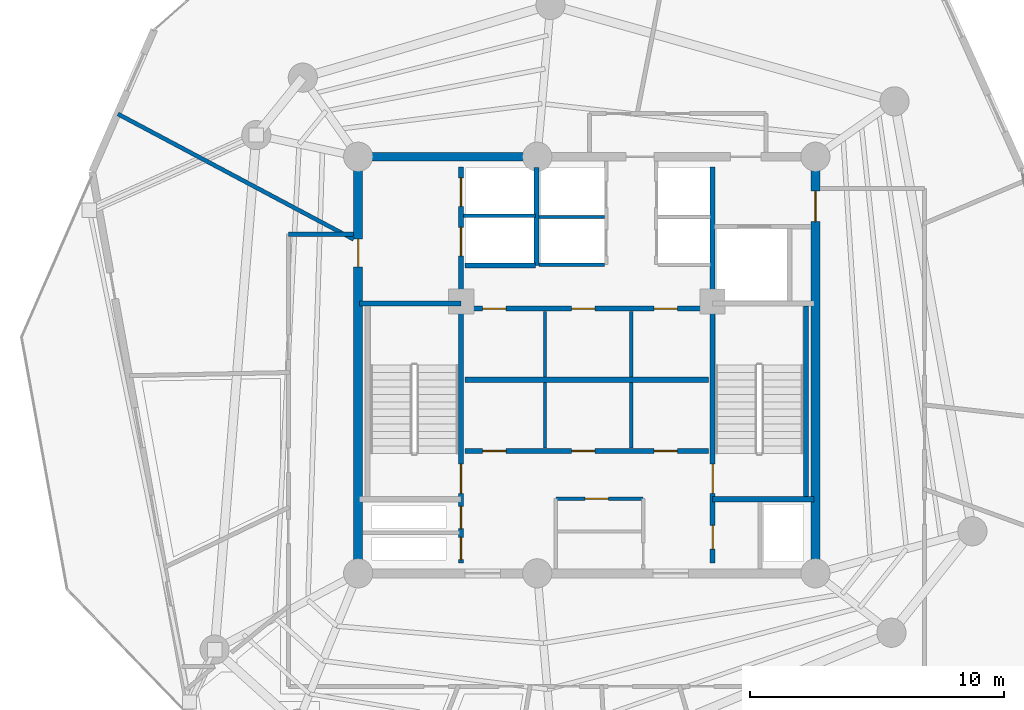
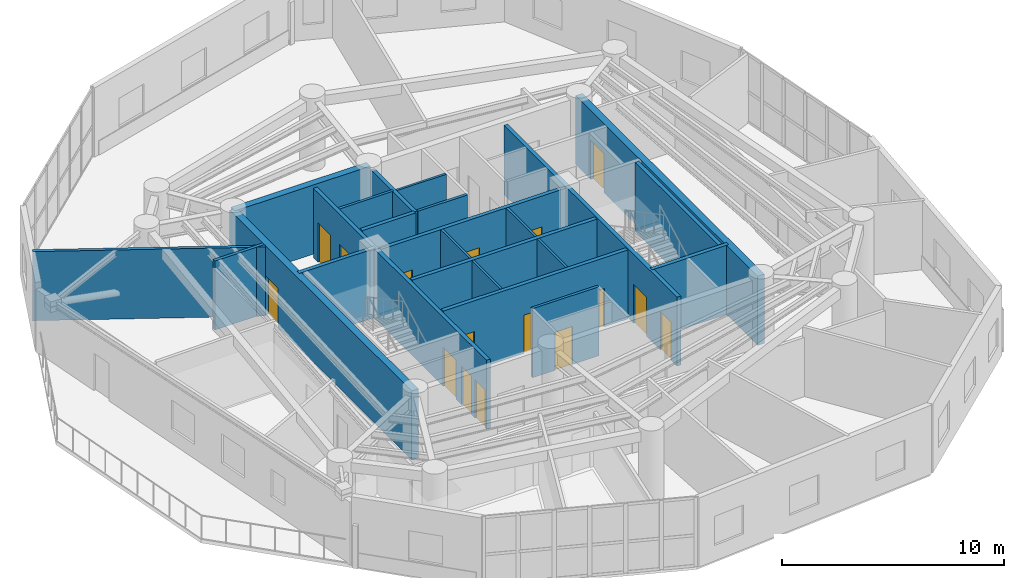
# One storey, part 7 of 12: 23 walls, 16 doors, 16 openings.
"""IFC4 building model written with IfcOpenShell, lengths in metres."""

from ifc_helpers import new_model, si_unit, direction, frame, frame_2d, origin, origin_with_axes, place, context, subcontext, project, spatial, rectangle, extrude, source, transform, mapped, material, layer, layer_set, type_object, element, fill, save


model = new_model("IFC4")

# Units and contexts
model_context = context("Model", 3, precision=1e-05, world=origin(), true_north=direction((0.0, 1.0)))
body_context = subcontext(model_context, "Body", "Model", "MODEL_VIEW")
ifc_project = project(units=[si_unit("LENGTHUNIT", "METRE"), si_unit("AREAUNIT", "SQUARE_METRE"), si_unit("VOLUMEUNIT", "CUBIC_METRE"), si_unit("PLANEANGLEUNIT", "RADIAN"), si_unit("MASSUNIT", "GRAM", prefix="KILO")], contexts=[model_context])

# Site, building, storey
site_placement = place(None, origin())
site = spatial("IfcSite", under=ifc_project, at=site_placement, CompositionType="ELEMENT")
building_placement = place(site_placement, origin())
building = spatial("IfcBuilding", under=site, at=building_placement, Name="Karkom Vertical University and Central Library", CompositionType="ELEMENT")
storey_placement = place(building_placement, frame((0.0, 0.0, 212.89990234375)))
storey = spatial("IfcBuildingStorey", under=building, at=storey_placement, Name="L62", CompositionType="ELEMENT", Elevation=212.89990234375)

# Walls
ifc_material_1 = material(Name="Insulated metal-stud drywall 160mm", Category="gypsum")
ifc_layer_1 = layer(ifc_material_1, 0.159912109375)
ifc_layer_set_1 = layer_set([ifc_layer_1], Name="Insulated metal-stud drywall 160mm")
wall_type_1 = type_object("IfcWallType", Name="INT-WL-COR-160", PredefinedType="PARTITIONING", material=ifc_layer_set_1)
wall_1_placement = place(storey_placement, frame((19.318603515625, 31.44970703125, 0.0), z_axis=(0.0, 0.0, 1.0), x_axis=(-0.882941459701, 0.469483097397, 0.0)))
element("IfcWall", 1, at=wall_1_placement, inside=storey, type_object=wall_type_1, Name="Level 62 Interior Partition Wall L62-PW-016", PredefinedType="PARTITIONING", context=body_context, shape_type="SweptSolid", body=[
    extrude(rectangle(XDim=10.506591796875, YDim=0.159912109375, at=frame_2d((5.25341796875, 0.0))), origin(), (0.0, 0.0, 1.0), 3.800048828125),
])
wall_2_placement = place(storey_placement, frame((16.75, 31.64990234375, 0.0), z_axis=(0.0, 0.0, 1.0), x_axis=(1.0, 0.0, 0.0)))
element("IfcWall", 2, at=wall_2_placement, inside=storey, type_object=wall_type_1, Name="Level 62 Interior Partition Wall L62-CORW-CW-003", PredefinedType="PARTITIONING", context=body_context, shape_type="SweptSolid", body=[
    extrude(rectangle(XDim=2.568115234375, YDim=0.159912109375, at=frame_2d((1.2841796875, 0.0))), origin(), (0.0, 0.0, 1.0), 3.800048828125),
])
ifc_material_2 = material(Name="Moisture-resistant drywall 120mm", Category="gypsum")
ifc_layer_2 = layer(ifc_material_2, 0.1201171875)
ifc_layer_set_2 = layer_set([ifc_layer_2], Name="Moisture-resistant drywall 120mm")
wall_type_2 = type_object("IfcWallType", Name="INT-WL-INT-120", PredefinedType="PARTITIONING", material=ifc_layer_set_2)
for number, where, z_axis, x_axis, name in (
    (3, (26.85009765625, 23.22705078125, 0.0), (0.0, 0.0, 1.0), (0.0, 1.0, 0.0), "Level 62 Interior Partition Wall L62-CW-B1-K4A"),
    (4, (30.25, 23.22705078125, 0.0), (0.0, 0.0, 1.0), (0.0, 1.0, 0.0), "Level 62 Interior Partition Wall L62-CW-B1-K4B"),
    (5, (26.85009765625, 26.027099609375, 0.0), (0.0, 0.0, 1.0), (0.0, 1.0, 0.0), "Level 62 Interior Partition Wall L62-CW-B2-K4A"),
    (6, (30.25, 26.027099609375, 0.0), (0.0, 0.0, 1.0), (0.0, 1.0, 0.0), "Level 62 Interior Partition Wall L62-CW-B2-K4B"),
):
    element("IfcWall", number, at=place(storey_placement, frame(where, z_axis=z_axis, x_axis=x_axis)), inside=storey, type_object=wall_type_2, Name=name, PredefinedType="PARTITIONING", context=body_context, shape_type="SweptSolid", body=[
        extrude(rectangle(XDim=2.586669921875, YDim=0.1201171875, at=frame_2d((1.29345703125, 0.0))), origin(), (0.0, 0.0, 1.0), 3.800048828125),
    ])
ifc_layer_3 = layer(ifc_material_2, 0.1201171875)
ifc_layer_set_3 = layer_set([ifc_layer_3], Name="Moisture-resistant drywall 120mm")
wall_type_3 = type_object("IfcWallType", Name="INT-WL-INT-120H", PredefinedType="PARTITIONING", material=ifc_layer_set_3)
wall_3_placement = place(storey_placement, frame((26.6201171875, 32.320068359375, 0.0), z_axis=(0.0, 0.0, 1.0), x_axis=(1.0, 0.0, 0.0)))
element("IfcWall", 7, at=wall_3_placement, inside=storey, type_object=wall_type_3, Name="Level 62 Interior Partition Wall L62-CW-PH-MW", PredefinedType="PARTITIONING", context=body_context, shape_type="SweptSolid", body=[
    extrude(rectangle(XDim=2.579833984375, YDim=0.1201171875, at=frame_2d((1.2900390625, 0.0))), origin(), (0.0, 0.0, 1.0), 3.800048828125),
])

# Wall, opening, door
ifc_material_3 = material(Name="Metal-stud gypsum partition 140mm", Category="gypsum")
ifc_layer_4 = layer(ifc_material_3, 0.139892578125)
ifc_layer_set_4 = layer_set([ifc_layer_4], Name="Metal-stud gypsum partition 140mm")
wall_type_4 = type_object("IfcWallType", Name="INT-WL-SUB-140", PredefinedType="PARTITIONING", material=ifc_layer_set_4)
wall_4_placement = place(storey_placement, frame((27.280029296875, 21.239990234375, 0.0), z_axis=(0.0, 0.0, 1.0), x_axis=(1.0, 0.0, 0.0)))
wall_4 = element("IfcWall", 8, at=wall_4_placement, inside=storey, type_object=wall_type_4, Name="Level 62 Interior Partition Wall L62-CW-KBAY-N", PredefinedType="PARTITIONING", context=body_context, shape_type="SweptSolid", body=[
    extrude(rectangle(XDim=3.43994140625, YDim=0.139892578125, at=frame_2d((1.719970703125, 0.0))), origin(), (0.0, 0.0, 1.0), 3.800048828125),
])
opening_1_placement = place(wall_4_placement, frame((1.14990234375, 0.0, 0.0)))
opening_1 = element("IfcOpeningElement", 9, at=opening_1_placement, cuts=wall_4, Name="Opening D-SVC1", PredefinedType="OPENING", context=body_context, shape_type="SweptSolid", body=[
    extrude(rectangle(XDim=0.919921875, YDim=2.10009765625, at=frame_2d((0.4599609375, 1.050048828125))), frame((0.0, 0.080078125, 0.0), z_axis=(0.0, -1.0, 0.0), x_axis=(1.0, 0.0, 0.0)), (0.0, 0.0, 1.0), 0.159912109375),
])
ifc_material_4 = material(Name="Painted timber service door", Category="wood")
door_type_1 = type_object("IfcDoorType", Name="INT-DR-SVC1", OperationType="NOTDEFINED", PredefinedType="DOOR", material=ifc_material_4)
shared_shape_1 = source(origin_with_axes(), body_context, "Body", "SweptSolid", [
    extrude(rectangle(XDim=0.919921875, YDim=2.10009765625, at=frame_2d((0.4599609375, 1.050048828125))), frame((0.0, 0.02490234375, 0.0), z_axis=(0.0, -1.0, 0.0), x_axis=(1.0, 0.0, 0.0)), (0.0, 0.0, 1.0), 0.050048828125),
])
door_1_placement = place(opening_1_placement, origin())
door_1 = element("IfcDoor", 10, at=door_1_placement, inside=storey, type_object=door_type_1, Name="Level 62 Valve Cupboard Door", OperationType="SINGLE_SWING_RIGHT", OverallHeight=2.10009765625, OverallWidth=0.919921875, PredefinedType="DOOR", context=body_context, shape_type="MappedRepresentation", body=[
    mapped(shared_shape_1, transform((0.0, 0.0, 0.0), scale=1.0)),
])
fill(opening_1, door_1)

# Walls
ifc_layer_5 = layer(ifc_material_3, 0.139892578125)
ifc_layer_set_5 = layer_set([ifc_layer_5], Name="Metal-stud gypsum partition 140mm")
wall_type_5 = type_object("IfcWallType", Name="INT-WL-SUB-140H", PredefinedType="PARTITIONING", material=ifc_layer_set_5)
wall_5_placement = place(storey_placement, frame((26.6201171875, 30.449951171875, 0.0), z_axis=(0.0, 0.0, 1.0), x_axis=(1.0, 0.0, 0.0)))
element("IfcWall", 11, at=wall_5_placement, inside=storey, type_object=wall_type_5, Name="Level 62 Interior Partition Wall L62-CW-PH-S1", PredefinedType="PARTITIONING", context=body_context, shape_type="SweptSolid", body=[
    extrude(rectangle(XDim=2.579833984375, YDim=0.139892578125, at=frame_2d((1.2900390625, 0.0))), origin(), (0.0, 0.0, 1.0), 3.800048828125),
])
ifc_layer_6 = layer(ifc_material_3, 0.139892578125)
ifc_layer_set_6 = layer_set([ifc_layer_6], Name="Metal-stud gypsum partition 140mm")
wall_type_6 = type_object("IfcWallType", Name="INT-WL-SUB-140X", PredefinedType="PARTITIONING", material=ifc_layer_set_6)
wall_6_placement = place(storey_placement, frame((23.652099609375, 32.3701171875, 0.0), z_axis=(0.0, 0.0, 1.0), x_axis=(1.0, 0.0, 0.0)))
element("IfcWall", 12, at=wall_6_placement, inside=storey, type_object=wall_type_6, Name="Level 62 Interior Partition Wall L62-CW-FFL-M", PredefinedType="PARTITIONING", context=body_context, shape_type="SweptSolid", body=[
    extrude(rectangle(XDim=2.827880859375, YDim=0.139892578125, at=frame_2d((1.4140625, 0.0))), origin(), (0.0, 0.0, 1.0), 3.800048828125),
])

# Wall, opening, door
ifc_material_5 = material(Name="Concrete C45/55", Category="concrete")
ifc_layer_7 = layer(ifc_material_5, 0.35009765625)
ifc_layer_set_7 = layer_set([ifc_layer_7], Name="Concrete C45/55")
wall_type_7 = type_object("IfcWallType", Name="STR-WL-CW-350", PredefinedType="SHEAR", material=ifc_layer_set_7)
wall_7_placement = place(storey_placement, frame((37.5, 18.300048828125, 0.0), z_axis=(0.0, 0.0, 1.0), x_axis=(0.0, 1.0, 0.0)))
wall_7 = element("IfcWall", 13, at=wall_7_placement, inside=storey, type_object=wall_type_7, Name="Level 62 Central Core Shear Wall EW", PredefinedType="SHEAR", context=body_context, shape_type="SweptSolid", body=[
    extrude(rectangle(XDim=16.39990234375, YDim=0.35009765625, at=frame_2d((8.199951171875, 0.0))), origin(), (0.0, 0.0, 1.0), 3.800048828125),
])
opening_2_placement = place(wall_7_placement, frame((13.85009765625, 0.0, 0.0)))
opening_2 = element("IfcOpeningElement", 14, at=opening_2_placement, cuts=wall_7, Name="Opening FD-SUB1", PredefinedType="OPENING", context=body_context, shape_type="SweptSolid", body=[
    extrude(rectangle(XDim=1.199951171875, YDim=2.14990234375, at=frame_2d((0.60009765625, 1.074951171875))), frame((0.0, 0.18505859375, 0.0), z_axis=(0.0, -1.0, 0.0), x_axis=(1.0, 0.0, 0.0)), (0.0, 0.0, 1.0), 0.3701171875),
])
ifc_material_6 = material(Name="Painted steel fire door", Category="steel")
door_type_2 = type_object("IfcDoorType", Name="INT-DR-SUB1", OperationType="NOTDEFINED", PredefinedType="DOOR", material=ifc_material_6)
shared_shape_2 = source(origin_with_axes(), body_context, "Body", "SweptSolid", [
    extrude(rectangle(XDim=1.199951171875, YDim=2.14990234375, at=frame_2d((0.60009765625, 1.074951171875))), frame((0.0, 0.02490234375, 0.0), z_axis=(0.0, -1.0, 0.0), x_axis=(1.0, 0.0, 0.0)), (0.0, 0.0, 1.0), 0.050048828125),
])
door_2_placement = place(opening_2_placement, origin())
door_2 = element("IfcDoor", 15, at=door_2_placement, inside=storey, type_object=door_type_2, Name="Level 62 East Corridor Service Lobby Door", OperationType="SINGLE_SWING_RIGHT", OverallHeight=2.14990234375, OverallWidth=1.199951171875, PredefinedType="DOOR", context=body_context, shape_type="MappedRepresentation", body=[
    mapped(shared_shape_2, transform((0.0, 0.0, 0.0), scale=1.0)),
])
fill(opening_2, door_2)

# Wall
wall_8_placement = place(storey_placement, frame((26.550048828125, 34.699951171875, 0.0), z_axis=(0.0, 0.0, 1.0), x_axis=(-1.0, 0.0, 0.0)))
element("IfcWall", 16, at=wall_8_placement, inside=storey, type_object=wall_type_7, Name="Level 62 Central Core Shear Wall NW2", PredefinedType="SHEAR", context=body_context, shape_type="SweptSolid", body=[
    extrude(rectangle(XDim=7.050048828125, YDim=0.35009765625, at=frame_2d((3.52490234375, 0.0))), origin(), (0.0, 0.0, 1.0), 3.800048828125),
])

# Wall, opening, door
wall_9_placement = place(storey_placement, frame((19.5, 34.699951171875, 0.0), z_axis=(0.0, 0.0, 1.0), x_axis=(0.0, -1.0, 0.0)))
wall_9 = element("IfcWall", 17, at=wall_9_placement, inside=storey, type_object=wall_type_7, Name="Level 62 Central Core Shear Wall WW", PredefinedType="SHEAR", context=body_context, shape_type="SweptSolid", body=[
    extrude(rectangle(XDim=16.39990234375, YDim=0.35009765625, at=frame_2d((8.199951171875, 0.0))), origin(), (0.0, 0.0, 1.0), 3.800048828125),
])
opening_3_placement = place(wall_9_placement, frame((3.239990234375, 0.0, 0.0)))
opening_3 = element("IfcOpeningElement", 18, at=opening_3_placement, cuts=wall_9, Name="Opening FD-FFL", PredefinedType="OPENING", context=body_context, shape_type="SweptSolid", body=[
    extrude(rectangle(XDim=1.10009765625, YDim=2.14990234375, at=frame_2d((0.550048828125, 1.074951171875))), frame((0.0, 0.18505859375, 0.0), z_axis=(0.0, -1.0, 0.0), x_axis=(1.0, 0.0, 0.0)), (0.0, 0.0, 1.0), 0.3701171875),
])
ifc_material_7 = material(Name="Painted steel smoke-seal fire door", Category="steel")
door_type_3 = type_object("IfcDoorType", Name="INT-DR-FFL", OperationType="NOTDEFINED", PredefinedType="DOOR", material=ifc_material_7)
shared_shape_3 = source(origin_with_axes(), body_context, "Body", "SweptSolid", [
    extrude(rectangle(XDim=1.10009765625, YDim=2.14990234375, at=frame_2d((0.550048828125, 1.074951171875))), frame((0.0, 0.02490234375, 0.0), z_axis=(0.0, -1.0, 0.0), x_axis=(1.0, 0.0, 0.0)), (0.0, 0.0, 1.0), 0.050048828125),
])
door_3_placement = place(opening_3_placement, origin())
door_3 = element("IfcDoor", 19, at=door_3_placement, inside=storey, type_object=door_type_3, Name="Level 62 West Corridor Firefighting Lobby Door", OperationType="SINGLE_SWING_LEFT", OverallHeight=2.14990234375, OverallWidth=1.10009765625, PredefinedType="DOOR", context=body_context, shape_type="MappedRepresentation", body=[
    mapped(shared_shape_3, transform((0.0, 0.0, 0.0), scale=1.0)),
])
fill(opening_3, door_3)

# Wall, openings, doors
ifc_layer_8 = layer(ifc_material_5, 0.199951171875)
ifc_layer_set_8 = layer_set([ifc_layer_8], Name="Concrete C45/55")
wall_type_8 = type_object("IfcWallType", Name="STR-WL-ST-200", PredefinedType="SHEAR", material=ifc_layer_set_8)
wall_10_placement = place(storey_placement, frame((23.544921875, 18.699951171875, 0.0), z_axis=(0.0, 0.0, 1.0), x_axis=(0.0, 1.0, 0.0)))
wall_10 = element("IfcWall", 20, at=wall_10_placement, inside=storey, type_object=wall_type_8, Name="Level 62 Core Shaft Wall L62-CW-ST1-E", PredefinedType="SHEAR", context=body_context, shape_type="SweptSolid", body=[
    extrude(rectangle(XDim=15.60009765625, YDim=0.199951171875, at=frame_2d((7.800048828125, 0.0))), origin(), (0.0, 0.0, 1.0), 3.800048828125),
])
opening_4_placement = place(wall_10_placement, frame((2.75, 0.0, 0.0)))
opening_4 = element("IfcOpeningElement", 21, at=opening_4_placement, cuts=wall_10, Name="Opening FD-ST1", PredefinedType="OPENING", context=body_context, shape_type="SweptSolid", body=[
    extrude(rectangle(XDim=1.14990234375, YDim=2.14990234375, at=frame_2d((0.574951171875, 1.074951171875))), frame((0.0, 0.10986328125, 0.0), z_axis=(0.0, -1.0, 0.0), x_axis=(1.0, 0.0, 0.0)), (0.0, 0.0, 1.0), 0.219970703125),
])
opening_5_placement = place(wall_10_placement, frame((0.139892578125, 0.0, 0.0)))
opening_5 = element("IfcOpeningElement", 22, at=opening_5_placement, cuts=wall_10, Name="Opening FD-RIS", PredefinedType="OPENING", context=body_context, shape_type="SweptSolid", body=[
    extrude(rectangle(XDim=0.8798828125, YDim=2.10009765625, at=frame_2d((0.43994140625, 1.050048828125))), frame((0.0, 0.10986328125, 0.0), z_axis=(0.0, -1.0, 0.0), x_axis=(1.0, 0.0, 0.0)), (0.0, 0.0, 1.0), 0.219970703125),
])
opening_6_placement = place(wall_10_placement, frame((1.360107421875, 0.0, 0.0)))
opening_6 = element("IfcOpeningElement", 23, at=opening_6_placement, cuts=wall_10, Name="Opening FD-RIS", PredefinedType="OPENING", context=body_context, shape_type="SweptSolid", body=[
    extrude(rectangle(XDim=0.8798828125, YDim=2.10009765625, at=frame_2d((0.43994140625, 1.050048828125))), frame((0.0, 0.10986328125, 0.0), z_axis=(0.0, -1.0, 0.0), x_axis=(1.0, 0.0, 0.0)), (0.0, 0.0, 1.0), 0.219970703125),
])
opening_7_placement = place(wall_10_placement, frame((12.10009765625, 0.0, 0.0)))
opening_7 = element("IfcOpeningElement", 24, at=opening_7_placement, cuts=wall_10, Name="Opening LD-FFL", PredefinedType="OPENING", context=body_context, shape_type="SweptSolid", body=[
    extrude(rectangle(XDim=1.1201171875, YDim=2.14990234375, at=frame_2d((0.56005859375, 1.074951171875))), frame((0.0, 0.10986328125, 0.0), z_axis=(0.0, -1.0, 0.0), x_axis=(1.0, 0.0, 0.0)), (0.0, 0.0, 1.0), 0.219970703125),
])
opening_8_placement = place(wall_10_placement, frame((14.050048828125, 0.0, 0.0)))
opening_8 = element("IfcOpeningElement", 25, at=opening_8_placement, cuts=wall_10, Name="Opening LD-FFL", PredefinedType="OPENING", context=body_context, shape_type="SweptSolid", body=[
    extrude(rectangle(XDim=1.1201171875, YDim=2.14990234375, at=frame_2d((0.56005859375, 1.074951171875))), frame((0.0, 0.10986328125, 0.0), z_axis=(0.0, -1.0, 0.0), x_axis=(1.0, 0.0, 0.0)), (0.0, 0.0, 1.0), 0.219970703125),
])
ifc_material_8 = material(Name="Painted steel acoustic fire door", Category="steel")
door_type_4 = type_object("IfcDoorType", Name="INT-DR-ST1", OperationType="NOTDEFINED", PredefinedType="DOOR", material=ifc_material_8)
shared_shape_4 = source(origin_with_axes(), body_context, "Body", "SweptSolid", [
    extrude(rectangle(XDim=1.14990234375, YDim=2.14990234375, at=frame_2d((0.574951171875, 1.074951171875))), frame((0.0, 0.02490234375, 0.0), z_axis=(0.0, -1.0, 0.0), x_axis=(1.0, 0.0, 0.0)), (0.0, 0.0, 1.0), 0.050048828125),
])
door_4_placement = place(opening_4_placement, origin())
door_4 = element("IfcDoor", 26, at=door_4_placement, inside=storey, type_object=door_type_4, Name="Level 62 Stair ST-1 Fire Door", OperationType="SINGLE_SWING_LEFT", OverallHeight=2.14990234375, OverallWidth=1.14990234375, PredefinedType="DOOR", context=body_context, shape_type="MappedRepresentation", body=[
    mapped(shared_shape_4, transform((0.0, 0.0, 0.0), scale=1.0)),
])
fill(opening_4, door_4)
ifc_material_9 = material(Name="Painted steel riser access door", Category="steel")
door_type_5 = type_object("IfcDoorType", Name="INT-DR-RIS", OperationType="NOTDEFINED", PredefinedType="DOOR", material=ifc_material_9)
shared_shape_5 = source(origin_with_axes(), body_context, "Body", "SweptSolid", [
    extrude(rectangle(XDim=0.8798828125, YDim=2.10009765625, at=frame_2d((0.43994140625, 1.050048828125))), frame((0.0, 0.02490234375, 0.0), z_axis=(0.0, -1.0, 0.0), x_axis=(1.0, 0.0, 0.0)), (0.0, 0.0, 1.0), 0.050048828125),
])
door_5_placement = place(opening_5_placement, origin())
door_5 = element("IfcDoor", 27, at=door_5_placement, inside=storey, type_object=door_type_5, Name="Level 62 Electrical Riser Access Door", OperationType="SINGLE_SWING_RIGHT", OverallHeight=2.10009765625, OverallWidth=0.8798828125, PredefinedType="DOOR", context=body_context, shape_type="MappedRepresentation", body=[
    mapped(shared_shape_5, transform((0.0, 0.0, 0.0), scale=1.0)),
])
fill(opening_5, door_5)
door_6_placement = place(opening_6_placement, origin())
door_6 = element("IfcDoor", 28, at=door_6_placement, inside=storey, type_object=door_type_5, Name="Level 62 Telecom Riser Access Door", OperationType="SINGLE_SWING_LEFT", OverallHeight=2.10009765625, OverallWidth=0.8798828125, PredefinedType="DOOR", context=body_context, shape_type="MappedRepresentation", body=[
    mapped(shared_shape_5, transform((0.0, 0.0, 0.0), scale=1.0)),
])
fill(opening_6, door_6)
ifc_material_10 = material(Name="Fire-rated stainless-steel landing door", Category="steel")
door_type_6 = type_object("IfcDoorType", Name="INT-DR-LD-FFL", OperationType="SLIDING_TO_LEFT", PredefinedType="DOOR", material=ifc_material_10)
shared_shape_6 = source(origin_with_axes(), body_context, "Body", "SweptSolid", [
    extrude(rectangle(XDim=1.1201171875, YDim=2.14990234375, at=frame_2d((0.56005859375, 1.074951171875))), frame((0.0, 0.02490234375, 0.0), z_axis=(0.0, -1.0, 0.0), x_axis=(1.0, 0.0, 0.0)), (0.0, 0.0, 1.0), 0.050048828125),
])
door_7_placement = place(opening_7_placement, origin())
door_7 = element("IfcDoor", 29, at=door_7_placement, inside=storey, type_object=door_type_6, Name="Level 62 Firefighting Lift FFL-1 Landing Door", OperationType="SLIDING_TO_LEFT", OverallHeight=2.14990234375, OverallWidth=1.1201171875, PredefinedType="DOOR", context=body_context, shape_type="MappedRepresentation", body=[
    mapped(shared_shape_6, transform((0.0, 0.0, 0.0), scale=1.0)),
])
fill(opening_7, door_7)
door_8_placement = place(opening_8_placement, origin())
door_8 = element("IfcDoor", 30, at=door_8_placement, inside=storey, type_object=door_type_6, Name="Level 62 Firefighting Lift FFL-2 Landing Door", OperationType="SLIDING_TO_RIGHT", OverallHeight=2.14990234375, OverallWidth=1.1201171875, PredefinedType="DOOR", context=body_context, shape_type="MappedRepresentation", body=[
    mapped(shared_shape_6, transform((0.0, 0.0, 0.0), scale=1.0)),
])
fill(opening_8, door_8)

wall_11_placement = place(storey_placement, frame((33.455078125, 18.699951171875, 0.0), z_axis=(0.0, 0.0, 1.0), x_axis=(0.0, 1.0, 0.0)))
wall_11 = element("IfcWall", 31, at=wall_11_placement, inside=storey, type_object=wall_type_8, Name="Level 62 Core Shaft Wall L62-CW-ST2-W", PredefinedType="SHEAR", context=body_context, shape_type="SweptSolid", body=[
    extrude(rectangle(XDim=15.60009765625, YDim=0.199951171875, at=frame_2d((7.800048828125, 0.0))), origin(), (0.0, 0.0, 1.0), 3.800048828125),
])
opening_9_placement = place(wall_11_placement, frame((2.75, 0.0, 0.0)))
opening_9 = element("IfcOpeningElement", 32, at=opening_9_placement, cuts=wall_11, Name="Opening FD-ST1", PredefinedType="OPENING", context=body_context, shape_type="SweptSolid", body=[
    extrude(rectangle(XDim=1.14990234375, YDim=2.14990234375, at=frame_2d((0.574951171875, 1.074951171875))), frame((0.0, 0.10986328125, 0.0), z_axis=(0.0, -1.0, 0.0), x_axis=(1.0, 0.0, 0.0)), (0.0, 0.0, 1.0), 0.219970703125),
])
opening_10_placement = place(wall_11_placement, frame((0.550048828125, 0.0, 0.0)))
opening_10 = element("IfcOpeningElement", 33, at=opening_10_placement, cuts=wall_11, Name="Opening D-WC1", PredefinedType="OPENING", context=body_context, shape_type="SweptSolid", body=[
    extrude(rectangle(XDim=0.93994140625, YDim=2.10009765625, at=frame_2d((0.469970703125, 1.050048828125))), frame((0.0, 0.10986328125, 0.0), z_axis=(0.0, -1.0, 0.0), x_axis=(1.0, 0.0, 0.0)), (0.0, 0.0, 1.0), 0.219970703125),
])
door_9_placement = place(opening_9_placement, origin())
door_9 = element("IfcDoor", 34, at=door_9_placement, inside=storey, type_object=door_type_4, Name="Level 62 Stair ST-2 Fire Door", OperationType="SINGLE_SWING_RIGHT", OverallHeight=2.14990234375, OverallWidth=1.14990234375, PredefinedType="DOOR", context=body_context, shape_type="MappedRepresentation", body=[
    mapped(shared_shape_4, transform((0.0, 0.0, 0.0), scale=1.0)),
])
fill(opening_9, door_9)
ifc_material_11 = material(Name="Fire-rated laminate moisture-resistant door", Category="wood")
door_type_7 = type_object("IfcDoorType", Name="INT-DR-WC1", OperationType="NOTDEFINED", PredefinedType="DOOR", material=ifc_material_11)
shared_shape_7 = source(origin_with_axes(), body_context, "Body", "SweptSolid", [
    extrude(rectangle(XDim=0.93994140625, YDim=2.10009765625, at=frame_2d((0.469970703125, 1.050048828125))), frame((0.0, 0.02490234375, 0.0), z_axis=(0.0, -1.0, 0.0), x_axis=(1.0, 0.0, 0.0)), (0.0, 0.0, 1.0), 0.050048828125),
])
door_10_placement = place(opening_10_placement, origin())
door_10 = element("IfcDoor", 35, at=door_10_placement, inside=storey, type_object=door_type_7, Name="Level 62 Accessible WC Door", OperationType="SINGLE_SWING_RIGHT", OverallHeight=2.10009765625, OverallWidth=0.93994140625, PredefinedType="DOOR", context=body_context, shape_type="MappedRepresentation", body=[
    mapped(shared_shape_7, transform((0.0, 0.0, 0.0), scale=1.0)),
])
fill(opening_10, door_10)

wall_12_placement = place(storey_placement, frame((23.699951171875, 23.1201171875, 0.0), z_axis=(0.0, 0.0, 1.0), x_axis=(1.0, 0.0, 0.0)))
wall_12 = element("IfcWall", 36, at=wall_12_placement, inside=storey, type_object=wall_type_8, Name="Level 62 Core Shaft Wall L62-CW-B1-S", PredefinedType="SHEAR", context=body_context, shape_type="SweptSolid", body=[
    extrude(rectangle(XDim=9.60009765625, YDim=0.199951171875, at=frame_2d((4.800048828125, 0.0))), origin(), (0.0, 0.0, 1.0), 3.800048828125),
])
opening_11_placement = place(wall_12_placement, frame((0.699951171875, 0.0, 0.0)))
opening_11 = element("IfcOpeningElement", 37, at=opening_11_placement, cuts=wall_12, Name="Opening D-SVC1", PredefinedType="OPENING", context=body_context, shape_type="SweptSolid", body=[
    extrude(rectangle(XDim=0.919921875, YDim=2.10009765625, at=frame_2d((0.4599609375, 1.050048828125))), frame((0.0, 0.10986328125, 0.0), z_axis=(0.0, -1.0, 0.0), x_axis=(1.0, 0.0, 0.0)), (0.0, 0.0, 1.0), 0.219970703125),
])
opening_12_placement = place(wall_12_placement, frame((4.199951171875, 0.0, 0.0)))
opening_12 = element("IfcOpeningElement", 38, at=opening_12_placement, cuts=wall_12, Name="Opening D-SVC1", PredefinedType="OPENING", context=body_context, shape_type="SweptSolid", body=[
    extrude(rectangle(XDim=0.919921875, YDim=2.10009765625, at=frame_2d((0.4599609375, 1.050048828125))), frame((0.0, 0.10986328125, 0.0), z_axis=(0.0, -1.0, 0.0), x_axis=(1.0, 0.0, 0.0)), (0.0, 0.0, 1.0), 0.219970703125),
])
opening_13_placement = place(wall_12_placement, frame((7.449951171875, 0.0, 0.0)))
opening_13 = element("IfcOpeningElement", 39, at=opening_13_placement, cuts=wall_12, Name="Opening D-SVC1", PredefinedType="OPENING", context=body_context, shape_type="SweptSolid", body=[
    extrude(rectangle(XDim=0.919921875, YDim=2.10009765625, at=frame_2d((0.4599609375, 1.050048828125))), frame((0.0, 0.10986328125, 0.0), z_axis=(0.0, -1.0, 0.0), x_axis=(1.0, 0.0, 0.0)), (0.0, 0.0, 1.0), 0.219970703125),
])
door_11_placement = place(opening_11_placement, origin())
door_11 = element("IfcDoor", 40, at=door_11_placement, inside=storey, type_object=door_type_1, Name="Level 62 B1 Store A Door", OperationType="SINGLE_SWING_LEFT", OverallHeight=2.10009765625, OverallWidth=0.919921875, PredefinedType="DOOR", context=body_context, shape_type="MappedRepresentation", body=[
    mapped(shared_shape_1, transform((0.0, 0.0, 0.0), scale=1.0)),
])
fill(opening_11, door_11)
door_12_placement = place(opening_12_placement, origin())
door_12 = element("IfcDoor", 41, at=door_12_placement, inside=storey, type_object=door_type_1, Name="Level 62 B1 Comms Door", OperationType="SINGLE_SWING_RIGHT", OverallHeight=2.10009765625, OverallWidth=0.919921875, PredefinedType="DOOR", context=body_context, shape_type="MappedRepresentation", body=[
    mapped(shared_shape_1, transform((0.0, 0.0, 0.0), scale=1.0)),
])
fill(opening_12, door_12)
door_13_placement = place(opening_13_placement, origin())
door_13 = element("IfcDoor", 42, at=door_13_placement, inside=storey, type_object=door_type_1, Name="Level 62 B1 Store C Door", OperationType="SINGLE_SWING_LEFT", OverallHeight=2.10009765625, OverallWidth=0.919921875, PredefinedType="DOOR", context=body_context, shape_type="MappedRepresentation", body=[
    mapped(shared_shape_1, transform((0.0, 0.0, 0.0), scale=1.0)),
])
fill(opening_13, door_13)

# Wall
wall_13_placement = place(storey_placement, frame((23.699951171875, 25.919921875, 0.0), z_axis=(0.0, 0.0, 1.0), x_axis=(1.0, 0.0, 0.0)))
element("IfcWall", 43, at=wall_13_placement, inside=storey, type_object=wall_type_8, Name="Level 62 Core Shaft Wall L62-CW-B1-N", PredefinedType="SHEAR", context=body_context, shape_type="SweptSolid", body=[
    extrude(rectangle(XDim=9.60009765625, YDim=0.199951171875, at=frame_2d((4.800048828125, 0.0))), origin(), (0.0, 0.0, 1.0), 3.800048828125),
])

# Wall, openings, doors
wall_14_placement = place(storey_placement, frame((23.699951171875, 28.719970703125, 0.0), z_axis=(0.0, 0.0, 1.0), x_axis=(1.0, 0.0, 0.0)))
wall_14 = element("IfcWall", 44, at=wall_14_placement, inside=storey, type_object=wall_type_8, Name="Level 62 Core Shaft Wall L62-CW-B2-N", PredefinedType="SHEAR", context=body_context, shape_type="SweptSolid", body=[
    extrude(rectangle(XDim=9.60009765625, YDim=0.199951171875, at=frame_2d((4.800048828125, 0.0))), origin(), (0.0, 0.0, 1.0), 3.800048828125),
])
opening_14_placement = place(wall_14_placement, frame((0.699951171875, 0.0, 0.0)))
opening_14 = element("IfcOpeningElement", 45, at=opening_14_placement, cuts=wall_14, Name="Opening D-SVC1", PredefinedType="OPENING", context=body_context, shape_type="SweptSolid", body=[
    extrude(rectangle(XDim=0.919921875, YDim=2.10009765625, at=frame_2d((0.4599609375, 1.050048828125))), frame((0.0, 0.10986328125, 0.0), z_axis=(0.0, -1.0, 0.0), x_axis=(1.0, 0.0, 0.0)), (0.0, 0.0, 1.0), 0.219970703125),
])
opening_15_placement = place(wall_14_placement, frame((4.199951171875, 0.0, 0.0)))
opening_15 = element("IfcOpeningElement", 46, at=opening_15_placement, cuts=wall_14, Name="Opening D-SVC1", PredefinedType="OPENING", context=body_context, shape_type="SweptSolid", body=[
    extrude(rectangle(XDim=0.919921875, YDim=2.10009765625, at=frame_2d((0.4599609375, 1.050048828125))), frame((0.0, 0.10986328125, 0.0), z_axis=(0.0, -1.0, 0.0), x_axis=(1.0, 0.0, 0.0)), (0.0, 0.0, 1.0), 0.219970703125),
])
opening_16_placement = place(wall_14_placement, frame((7.449951171875, 0.0, 0.0)))
opening_16 = element("IfcOpeningElement", 47, at=opening_16_placement, cuts=wall_14, Name="Opening D-SVC1", PredefinedType="OPENING", context=body_context, shape_type="SweptSolid", body=[
    extrude(rectangle(XDim=0.919921875, YDim=2.10009765625, at=frame_2d((0.4599609375, 1.050048828125))), frame((0.0, 0.10986328125, 0.0), z_axis=(0.0, -1.0, 0.0), x_axis=(1.0, 0.0, 0.0)), (0.0, 0.0, 1.0), 0.219970703125),
])
door_14_placement = place(opening_14_placement, origin())
door_14 = element("IfcDoor", 48, at=door_14_placement, inside=storey, type_object=door_type_1, Name="Level 62 B2 Store A Door", OperationType="SINGLE_SWING_RIGHT", OverallHeight=2.10009765625, OverallWidth=0.919921875, PredefinedType="DOOR", context=body_context, shape_type="MappedRepresentation", body=[
    mapped(shared_shape_1, transform((0.0, 0.0, 0.0), scale=1.0)),
])
fill(opening_14, door_14)
door_15_placement = place(opening_15_placement, origin())
door_15 = element("IfcDoor", 49, at=door_15_placement, inside=storey, type_object=door_type_1, Name="Level 62 B2 Comms Door", OperationType="SINGLE_SWING_LEFT", OverallHeight=2.10009765625, OverallWidth=0.919921875, PredefinedType="DOOR", context=body_context, shape_type="MappedRepresentation", body=[
    mapped(shared_shape_1, transform((0.0, 0.0, 0.0), scale=1.0)),
])
fill(opening_15, door_15)
door_16_placement = place(opening_16_placement, origin())
door_16 = element("IfcDoor", 50, at=door_16_placement, inside=storey, type_object=door_type_1, Name="Level 62 B2 Store C Door", OperationType="SINGLE_SWING_RIGHT", OverallHeight=2.10009765625, OverallWidth=0.919921875, PredefinedType="DOOR", context=body_context, shape_type="MappedRepresentation", body=[
    mapped(shared_shape_1, transform((0.0, 0.0, 0.0), scale=1.0)),
])
fill(opening_16, door_16)

# Walls
wall_15_placement = place(storey_placement, frame((37.125, 21.320068359375, 0.0), z_axis=(0.0, 0.0, 1.0), x_axis=(0.0, 1.0, 0.0)))
element("IfcWall", 51, at=wall_15_placement, inside=storey, type_object=wall_type_8, Name="Level 62 Core Shaft Wall L62-CW-ST2-E", PredefinedType="SHEAR", context=body_context, shape_type="SweptSolid", body=[
    extrude(rectangle(XDim=7.5, YDim=0.199951171875, at=frame_2d((3.75, 0.0))), origin(), (0.0, 0.0, 1.0), 3.800048828125),
])
for number, where, z_axis, x_axis, name in (
    (52, (33.455078125, 21.215087890625, 0.0), (0.0, 0.0, 1.0), (1.0, 0.0, 0.0), "Level 62 Core Shaft Wall L62-CW-ST2-S"),
    (53, (19.550048828125, 28.925048828125, 0.0), (0.0, 0.0, 1.0), (1.0, 0.0, 0.0), "Level 62 Core Shaft Wall L62-CW-ST1-N"),
):
    element("IfcWall", number, at=place(storey_placement, frame(where, z_axis=z_axis, x_axis=x_axis)), inside=storey, type_object=wall_type_8, Name=name, PredefinedType="SHEAR", context=body_context, shape_type="SweptSolid", body=[
        extrude(rectangle(XDim=3.994873046875, YDim=0.199951171875, at=frame_2d((1.99755859375, 0.0))), origin(), (0.0, 0.0, 1.0), 3.800048828125),
    ])
wall_16_placement = place(storey_placement, frame((26.52001953125, 30.419921875, 0.0), z_axis=(0.0, 0.0, 1.0), x_axis=(0.0, 1.0, 0.0)))
element("IfcWall", 54, at=wall_16_placement, inside=storey, type_object=wall_type_8, Name="Level 62 Core Shaft Wall L62-CW-FFL-E", PredefinedType="SHEAR", context=body_context, shape_type="SweptSolid", body=[
    extrude(rectangle(XDim=3.860107421875, YDim=0.199951171875, at=frame_2d((1.93017578125, 0.0))), origin(), (0.0, 0.0, 1.0), 3.800048828125),
])
wall_17_placement = place(storey_placement, frame((23.699951171875, 30.419921875, 0.0), z_axis=(0.0, 0.0, 1.0), x_axis=(1.0, 0.0, 0.0)))
element("IfcWall", 55, at=wall_17_placement, inside=storey, type_object=wall_type_8, Name="Level 62 Core Shaft Wall L62-CW-FFL-S", PredefinedType="SHEAR", context=body_context, shape_type="SweptSolid", body=[
    extrude(rectangle(XDim=2.780029296875, YDim=0.199951171875, at=frame_2d((1.39013671875, 0.0))), origin(), (0.0, 0.0, 1.0), 3.800048828125),
])

save(model, "model.ifc")
